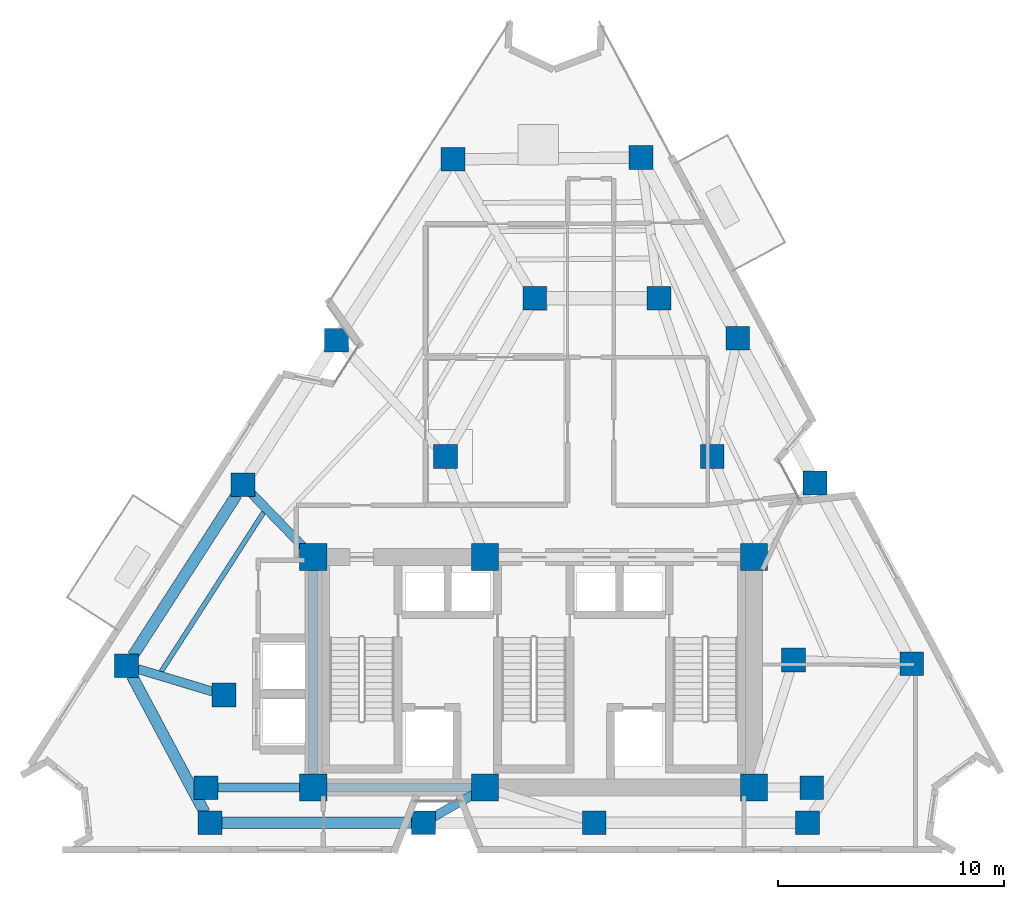
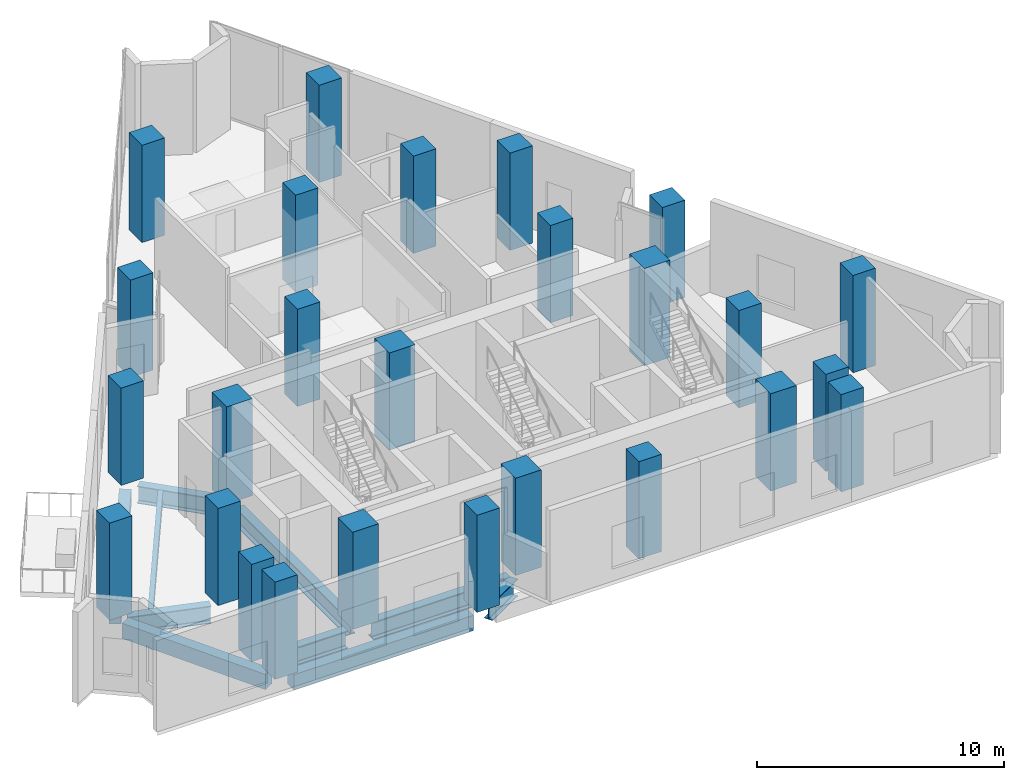
# One storey, part 1 of 10: 26 columns, 10 beams.
"""IFC4 building model written with IfcOpenShell, lengths in metres."""

from ifc_helpers import new_model, si_unit, direction, frame, origin, origin_2d, place, context, subcontext, project, spatial, rectangle, i_section, extrude, material, material_profile, profile_set, type_object, element, save


model = new_model("IFC4")

# Units and contexts
model_context = context("Model", 3, precision=1e-05, world=origin(), true_north=direction((0.0, 1.0)))
body_context = subcontext(model_context, "Body", "Model", "MODEL_VIEW")
ifc_project = project(units=[si_unit("LENGTHUNIT", "METRE"), si_unit("AREAUNIT", "SQUARE_METRE"), si_unit("VOLUMEUNIT", "CUBIC_METRE"), si_unit("PLANEANGLEUNIT", "RADIAN"), si_unit("MASSUNIT", "GRAM", prefix="KILO")], contexts=[model_context])

# Site, building, storey
site_placement = place(None, origin())
site = spatial("IfcSite", under=ifc_project, at=site_placement, CompositionType="ELEMENT")
building_placement = place(site_placement, origin())
building = spatial("IfcBuilding", under=site, at=building_placement, Name="Almagre Mirador Tower", CompositionType="ELEMENT")
storey_placement = place(building_placement, frame((0.0, 0.0, 196.800048828125)))
storey = spatial("IfcBuildingStorey", under=building, at=storey_placement, Name="L51", CompositionType="ELEMENT", Elevation=196.800048828125)

# Columns
ifc_material_1 = material(Name="Concrete C60/75", Category="concrete")
ifc_material_profile_1 = material_profile(ifc_material_1, rectangle(XDim=1.050048828125, YDim=1.050048828125, at=origin_2d()), Name="RC1050X1050")
ifc_profile_set_1 = profile_set([ifc_material_profile_1], Name="Concrete C60/75")
column_type_1 = type_object("IfcColumnType", Name="COL-RC1050", PredefinedType="COLUMN", material=ifc_profile_set_1)
for number, where, z_axis, x_axis, name in (
    (1, (22.800048828125, 4.550048828125, 0.0), (0.0, 0.0, 1.0), (1.0, 0.0, 0.0), "L51 interior transfer column MC1"),
    (2, (49.60009765625, 4.550048828125, 0.0), (0.0, 0.0, 1.0), (1.0, 0.0, 0.0), "L51 interior transfer column MC2"),
    (3, (48.800048828125, 10.199951171875, 0.0), (0.0, 0.0, 1.0), (1.0, 0.0, 0.0), "L51 interior transfer column MC3"),
    (4, (45.199951171875, 19.199951171875, 0.0), (0.0, 0.0, 1.0), (1.0, 0.0, 0.0), "L51 interior transfer column MC5"),
    (5, (42.85009765625, 26.199951171875, 0.0), (0.0, 0.0, 1.0), (1.0, 0.0, 0.0), "L51 interior transfer column MC6"),
    (6, (37.35009765625, 26.199951171875, 0.0), (0.0, 0.0, 1.0), (1.0, 0.0, 0.0), "L51 interior transfer column MC7"),
    (7, (33.39990234375, 19.199951171875, 0.0), (0.0, 0.0, 1.0), (1.0, 0.0, 0.0), "L51 interior transfer column MC8"),
    (8, (23.60009765625, 8.64990234375, 0.0), (0.0, 0.0, 1.0), (1.0, 0.0, 0.0), "L51 interior transfer column MC10"),
    (9, (22.98388671875, 3.0, 0.0), (0.0, 0.0, 1.0), (1.0, 0.0, 0.0), "L51 perimeter column PC01"),
    (10, (32.424072265625, 3.0, 0.0), (0.0, 0.0, 1.0), (1.0, 0.0, 0.0), "L51 perimeter column PC02"),
    (11, (39.97607421875, 3.0, 0.0), (0.0, 0.0, 1.0), (1.0, 0.0, 0.0), "L51 perimeter column PC03"),
    (12, (49.416015625, 3.0, 0.0), (0.0, 0.0, 1.0), (1.0, 0.0, 0.0), "L51 perimeter column PC04"),
    (13, (54.033935546875, 10.033935546875, 0.0), (0.0, 0.0, 1.0), (1.0, 0.0, 0.0), "L51 perimeter column PC05"),
    (14, (49.75390625, 18.033935546875, 0.0), (0.0, 0.0, 1.0), (1.0, 0.0, 0.0), "L51 perimeter column PC06"),
    (15, (46.330078125, 24.43408203125, 0.0), (0.0, 0.0, 1.0), (1.0, 0.0, 0.0), "L51 perimeter column PC07"),
    (16, (42.050048828125, 32.43408203125, 0.0), (0.0, 0.0, 1.0), (1.0, 0.0, 0.0), "L51 perimeter column PC08"),
    (17, (33.73193359375, 32.35009765625, 0.0), (0.0, 0.0, 1.0), (1.0, 0.0, 0.0), "L51 perimeter column PC09"),
    (18, (28.572021484375, 24.35009765625, 0.0), (0.0, 0.0, 1.0), (1.0, 0.0, 0.0), "L51 perimeter column PC10"),
    (19, (24.444091796875, 17.949951171875, 0.0), (0.0, 0.0, 1.0), (1.0, 0.0, 0.0), "L51 perimeter column PC11"),
    (20, (19.283935546875, 9.949951171875, 0.0), (0.0, 0.0, 1.0), (1.0, 0.0, 0.0), "L51 perimeter column PC12"),
):
    element("IfcColumn", number, at=place(storey_placement, frame(where, z_axis=z_axis, x_axis=x_axis)), inside=storey, type_object=column_type_1, Name=name, PredefinedType="COLUMN", context=body_context, shape_type="SweptSolid", body=[
        extrude(rectangle(XDim=1.050048828125, YDim=1.050048828125, at=origin_2d()), origin(), (0.0, 0.0, 1.0), 4.800048828125),
    ])
ifc_material_2 = material(Name="Concrete C60/75", Category="concrete")
ifc_material_profile_2 = material_profile(ifc_material_2, rectangle(XDim=1.199951171875, YDim=1.199951171875, at=origin_2d()), Name="RC1200X1200")
ifc_profile_set_2 = profile_set([ifc_material_profile_2], Name="Concrete C60/75")
column_type_2 = type_object("IfcColumnType", Name="COL-RC1200", PredefinedType="COLUMN", material=ifc_profile_set_2)
for number, where, z_axis, x_axis, name in (
    (21, (27.550048828125, 4.550048828125, 0.0), (0.0, 0.0, 1.0), (1.0, 0.0, 0.0), "L51 core spine column CC1"),
    (22, (35.14990234375, 4.550048828125, 0.0), (0.0, 0.0, 1.0), (1.0, 0.0, 0.0), "L51 core spine column CC2"),
    (23, (47.050048828125, 4.550048828125, 0.0), (0.0, 0.0, 1.0), (1.0, 0.0, 0.0), "L51 core spine column CC3"),
    (24, (27.550048828125, 14.75, 0.0), (0.0, 0.0, 1.0), (1.0, 0.0, 0.0), "L51 core spine column CC4"),
    (25, (35.14990234375, 14.75, 0.0), (0.0, 0.0, 1.0), (1.0, 0.0, 0.0), "L51 core spine column CC5"),
    (26, (47.050048828125, 14.75, 0.0), (0.0, 0.0, 1.0), (1.0, 0.0, 0.0), "L51 core spine column CC6"),
):
    element("IfcColumn", number, at=place(storey_placement, frame(where, z_axis=z_axis, x_axis=x_axis)), inside=storey, type_object=column_type_2, Name=name, PredefinedType="COLUMN", context=body_context, shape_type="SweptSolid", body=[
        extrude(rectangle(XDim=1.199951171875, YDim=1.199951171875, at=origin_2d()), origin(), (0.0, 0.0, 1.0), 4.800048828125),
    ])

# Beams
ifc_material_3 = material(Name="Steel ASTM A992 Grade 50", Category="steel")
ifc_material_profile_3 = material_profile(ifc_material_3, i_section(OverallWidth=0.214111328125, OverallDepth=0.549072265625, WebThickness=0.0146484375, FlangeThickness=0.023681640625, FilletRadius=0.01806640625, at=origin_2d()), Name="W21X93")
ifc_profile_set_3 = profile_set([ifc_material_profile_3], Name="Steel ASTM A992 Grade 50")
beam_type_1 = type_object("IfcBeamType", Name="BM-JST-W21X93", PredefinedType="JOIST", material=ifc_profile_set_3)
beam_1_placement = place(storey_placement, frame((25.35205078125, 16.735595703125, -0.574462890625), z_axis=(-0.540710465043, -0.841208768971, 0.0), x_axis=(0.841208768971, -0.540710465043, 0.0)))
element("IfcBeam", 27, at=beam_1_placement, inside=storey, type_object=beam_type_1, Name="L51 secondary floor joist PC11-PC12.1", PredefinedType="JOIST", context=body_context, shape_type="SweptSolid", body=[
    extrude(i_section(OverallWidth=0.214111328125, OverallDepth=0.549072265625, WebThickness=0.0146484375, FlangeThickness=0.023681640625, FilletRadius=0.01806640625, at=origin_2d()), origin(), (0.0, 0.0, 1.0), 8.37890625),
])
ifc_material_4 = material(Name="Precast concrete C50/60", Category="concrete")
ifc_material_profile_4 = material_profile(ifc_material_4, rectangle(XDim=0.5, YDim=0.75, at=origin_2d()), Name="RC500X750")
ifc_profile_set_4 = profile_set([ifc_material_profile_4], Name="Precast concrete C50/60")
beam_type_2 = type_object("IfcBeamType", Name="BM-SPN-RC500X750", PredefinedType="SPANDREL", material=ifc_profile_set_4)
beam_2_placement = place(storey_placement, frame((23.509033203125, 3.0, -0.675048828125), z_axis=(1.0, 0.0, 0.0), x_axis=(0.0, 1.0, 0.0)))
element("IfcBeam", 28, at=beam_2_placement, inside=storey, type_object=beam_type_2, Name="L51 perimeter spandrel beam PC01-PC02", PredefinedType="SPANDREL", context=body_context, shape_type="SweptSolid", body=[
    extrude(rectangle(XDim=0.5, YDim=0.75, at=origin_2d()), origin(), (0.0, 0.0, 1.0), 8.389892578125),
])
beam_3_placement = place(storey_placement, frame((24.159423828125, 17.5087890625, -0.675048828125), z_axis=(-0.542024442959, -0.840362721231, 0.0), x_axis=(0.840362721231, -0.542024442959, 0.0)))
element("IfcBeam", 29, at=beam_3_placement, inside=storey, type_object=beam_type_2, Name="L51 perimeter spandrel beam PC11-PC12", PredefinedType="SPANDREL", context=body_context, shape_type="SweptSolid", body=[
    extrude(rectangle(XDim=0.5, YDim=0.75, at=origin_2d()), origin(), (0.0, 0.0, 1.0), 8.4697265625),
])
beam_4_placement = place(storey_placement, frame((19.53076171875, 9.486572265625, -0.675048828125), z_axis=(0.469923278173, -0.882707263271, 0.0), x_axis=(0.882707263271, 0.469923278173, 0.0)))
element("IfcBeam", 30, at=beam_4_placement, inside=storey, type_object=beam_type_2, Name="L51 perimeter spandrel beam PC12-PC01", PredefinedType="SPANDREL", context=body_context, shape_type="SweptSolid", body=[
    extrude(rectangle(XDim=0.5, YDim=0.75, at=origin_2d()), origin(), (0.0, 0.0, 1.0), 6.823486328125),
])
ifc_material_5 = material(Name="Steel ASTM A992 Grade 50", Category="steel")
ifc_material_profile_5 = material_profile(ifc_material_5, i_section(OverallWidth=0.39892578125, OverallDepth=0.85595703125, WebThickness=0.018310546875, FlangeThickness=0.029296875, FilletRadius=0.02490234375, at=origin_2d()), Name="W33X201")
ifc_profile_set_5 = profile_set([ifc_material_profile_5], Name="Steel ASTM A992 Grade 50")
beam_type_3 = type_object("IfcBeamType", Name="BM-STL-W33X201", PredefinedType="BEAM", material=ifc_profile_set_5)
beam_5_placement = place(storey_placement, frame((32.88037109375, 3.259521484375, -0.72802734375), z_axis=(0.869309554044, 0.494268043927, 0.0), x_axis=(-0.494268043927, 0.869309554044, 0.0)))
element("IfcBeam", 31, at=beam_5_placement, inside=storey, type_object=beam_type_3, Name="L51 radial floor girder PC02-CC2", PredefinedType="BEAM", context=body_context, shape_type="SweptSolid", body=[
    extrude(i_section(OverallWidth=0.39892578125, OverallDepth=0.85595703125, WebThickness=0.018310546875, FlangeThickness=0.029296875, FilletRadius=0.02490234375, at=origin_2d()), origin(), (0.0, 0.0, 1.0), 2.0107421875),
])
beam_6_placement = place(storey_placement, frame((24.809814453125, 17.5732421875, -0.72802734375), z_axis=(0.69644765499, -0.717607597409, 0.0), x_axis=(0.717607597409, 0.69644765499, 0.0)))
element("IfcBeam", 32, at=beam_6_placement, inside=storey, type_object=beam_type_3, Name="L51 radial floor girder PC11-CC4", PredefinedType="BEAM", context=body_context, shape_type="SweptSolid", body=[
    extrude(i_section(OverallWidth=0.39892578125, OverallDepth=0.85595703125, WebThickness=0.018310546875, FlangeThickness=0.029296875, FilletRadius=0.02490234375, at=origin_2d()), origin(), (0.0, 0.0, 1.0), 3.33447265625),
])
beam_7_placement = place(storey_placement, frame((19.78662109375, 9.798583984375, -0.72802734375), z_axis=(0.957520639222, -0.288364743794, 0.0), x_axis=(0.288364743794, 0.957520639222, 0.0)))
element("IfcBeam", 33, at=beam_7_placement, inside=storey, type_object=beam_type_3, Name="L51 radial floor girder PC12-MC10", PredefinedType="BEAM", context=body_context, shape_type="SweptSolid", body=[
    extrude(i_section(OverallWidth=0.39892578125, OverallDepth=0.85595703125, WebThickness=0.018310546875, FlangeThickness=0.029296875, FilletRadius=0.02490234375, at=origin_2d()), origin(), (0.0, 0.0, 1.0), 3.457763671875),
])
ifc_material_6 = material(Name="Steel ASTM A992 Grade 50", Category="steel")
ifc_material_profile_6 = material_profile(ifc_material_6, i_section(OverallWidth=0.404052734375, OverallDepth=0.884033203125, WebThickness=0.0244140625, FlangeThickness=0.0439453125, FilletRadius=0.02490234375, at=origin_2d()), Name="W33X291")
ifc_profile_set_6 = profile_set([ifc_material_profile_6], Name="Steel ASTM A992 Grade 50")
beam_type_4 = type_object("IfcBeamType", Name="BM-STL-W33X291", PredefinedType="BEAM", material=ifc_profile_set_6)
beam_8_placement = place(storey_placement, frame((28.14990234375, 4.550048828125, -0.741943359375), z_axis=(1.0, 0.0, 0.0), x_axis=(0.0, 1.0, 0.0)))
element("IfcBeam", 34, at=beam_8_placement, inside=storey, type_object=beam_type_4, Name="L51 core tie girder CC1-CC2", PredefinedType="BEAM", context=body_context, shape_type="SweptSolid", body=[
    extrude(i_section(OverallWidth=0.404052734375, OverallDepth=0.884033203125, WebThickness=0.0244140625, FlangeThickness=0.0439453125, FilletRadius=0.02490234375, at=origin_2d()), origin(), (0.0, 0.0, 1.0), 6.400146484375),
])
beam_9_placement = place(storey_placement, frame((27.550048828125, 5.14990234375, -0.741943359375), z_axis=(0.0, 1.0, 0.0), x_axis=(-1.0, 0.0, 0.0)))
element("IfcBeam", 35, at=beam_9_placement, inside=storey, type_object=beam_type_4, Name="L51 core tie girder CC1-CC4", PredefinedType="BEAM", context=body_context, shape_type="SweptSolid", body=[
    extrude(i_section(OverallWidth=0.404052734375, OverallDepth=0.884033203125, WebThickness=0.0244140625, FlangeThickness=0.0439453125, FilletRadius=0.02490234375, at=origin_2d()), origin(), (0.0, 0.0, 1.0), 9.0),
])
beam_10_placement = place(storey_placement, frame((23.324951171875, 4.550048828125, -0.741943359375), z_axis=(1.0, 0.0, 0.0), x_axis=(0.0, 1.0, 0.0)))
element("IfcBeam", 36, at=beam_10_placement, inside=storey, type_object=beam_type_4, Name="L51 core tie girder MC1-CC1", PredefinedType="BEAM", context=body_context, shape_type="SweptSolid", body=[
    extrude(i_section(OverallWidth=0.404052734375, OverallDepth=0.884033203125, WebThickness=0.0244140625, FlangeThickness=0.0439453125, FilletRadius=0.02490234375, at=origin_2d()), origin(), (0.0, 0.0, 1.0), 3.625),
])

save(model, "model.ifc")
